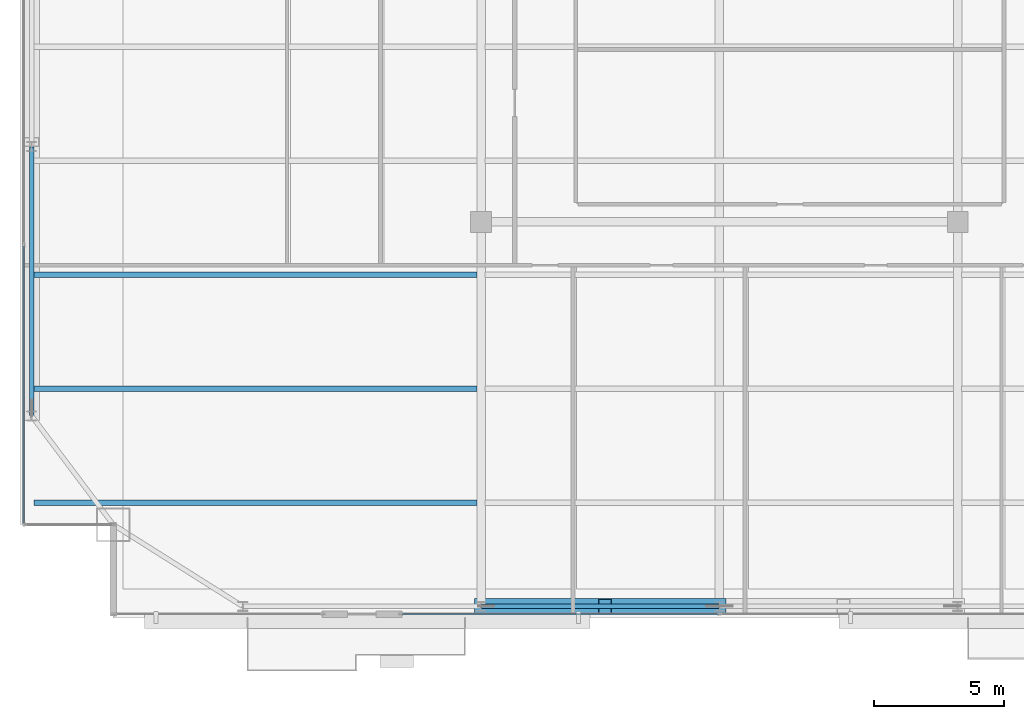
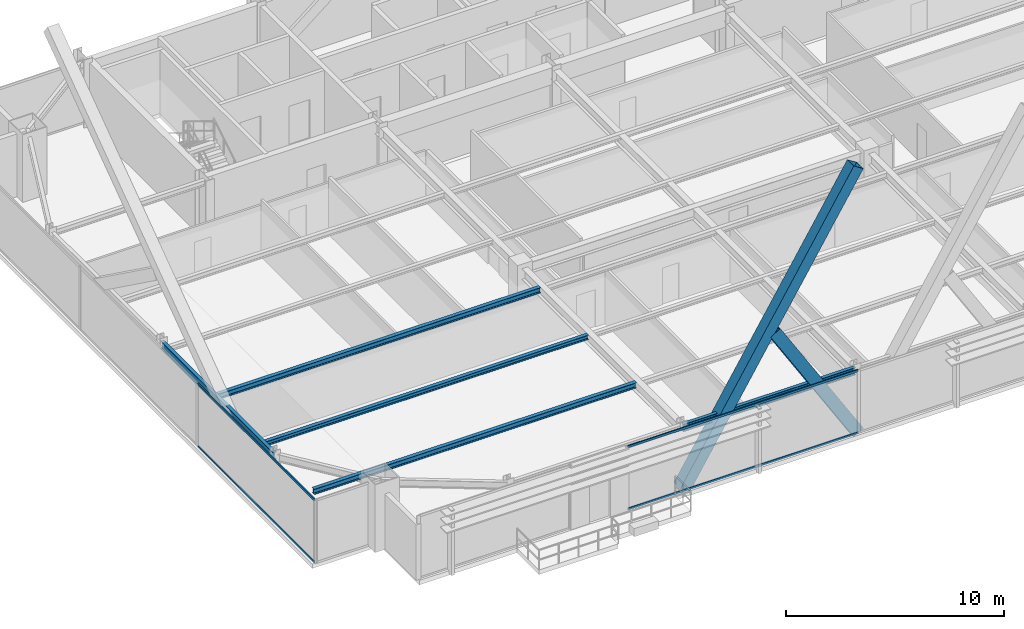
# One storey, part 7 of 34: 6 members, 5 beams, 2 elements without a shape of their own.
"""IFC4 building model written with IfcOpenShell, lengths in metres."""

import ifcopenshell
import ifcopenshell.guid

model = None  # the IFC model being written
_history = None  # IfcOwnerHistory: only IFC2X3 demands one
_inside = {}  # id of a spatial element -> (the spatial element, [elements in it])
_under = {}  # id of a project, library or spatial element -> (it, [spatial elements below it])
_declared = {}  # id of a project -> (the project, [libraries it declares])
_typed = {}  # id of a type object -> (the type object, [elements of that type])
_made_of = {}  # id of a material, layer set ... -> (it, [elements and type objects made of it])


def new_model(schema):
    """Start an empty IFC model of exactly this schema.

    Asked for "IFC4X3", IfcOpenShell would pick the latest addendum, in which some entities
    have other attributes; the version numbers below select the first issue.
    IFC2X3 requires an IfcOwnerHistory on every rooted entity: one is made here for all.
    """
    global model, _history
    if schema == "IFC4X3":
        model = ifcopenshell.file(schema_version=(4, 3, 0, 0))
    else:
        model = ifcopenshell.file(schema=schema)
    _inside.clear()
    _under.clear()
    _declared.clear()
    _typed.clear()
    _made_of.clear()
    _history = None
    if model.schema == "IFC2X3":
        org = make("IfcOrganization", Name="unknown")
        user = make(
            "IfcPersonAndOrganization",
            ThePerson=make("IfcPerson", FamilyName="unknown"),
            TheOrganization=org,
        )
        app = make(
            "IfcApplication",
            ApplicationDeveloper=org,
            Version="unknown",
            ApplicationFullName="unknown",
            ApplicationIdentifier="unknown",
        )
        _history = make(
            "IfcOwnerHistory",
            OwningUser=user,
            OwningApplication=app,
            ChangeAction="ADDED",
            CreationDate=0,
        )
    return model


def make(cls, **values):
    """One entity of the class cls with the attributes given. An attribute that is None is left unset."""
    return model.create_entity(
        cls, **{name: value for name, value in values.items() if value is not None}
    )


def rooted(cls, **values):
    """An entity with a GlobalId (a new one), such as an element, a storey or a relation."""
    return make(cls, GlobalId=ifcopenshell.guid.new(), OwnerHistory=_history, **values)


def si_unit(unit_type, name, prefix=None):
    """IfcSIUnit, for example si_unit("LENGTHUNIT", "METRE", prefix="MILLI")."""
    return make("IfcSIUnit", UnitType=unit_type, Prefix=prefix, Name=name)


def assignment(units):
    """IfcUnitAssignment: the units of a project."""
    return None if units is None else make("IfcUnitAssignment", Units=units)


def point(xyz):
    """IfcCartesianPoint."""
    return None if xyz is None else make("IfcCartesianPoint", Coordinates=xyz)


def direction(xyz):
    """IfcDirection."""
    return None if xyz is None else make("IfcDirection", DirectionRatios=xyz)


def frame(location, z_axis=None, x_axis=None):
    """IfcAxis2Placement3D, a coordinate frame: its origin and axes. An axis left out is left unset."""
    return make(
        "IfcAxis2Placement3D",
        Location=point(location),
        Axis=direction(z_axis),
        RefDirection=direction(x_axis),
    )


def frame_2d(location, x_axis=None):
    """IfcAxis2Placement2D, a coordinate frame in the plane: its origin and x axis."""
    return make(
        "IfcAxis2Placement2D", Location=point(location), RefDirection=direction(x_axis)
    )


def origin():
    """The frame at (0, 0, 0) with its axes left unset."""
    return frame((0.0, 0.0, 0.0))


def origin_2d():
    """The frame at (0, 0) in the plane with its x axis left unset."""
    return frame_2d((0.0, 0.0))


def place(relative_to, where):
    """IfcLocalPlacement: puts the frame where relative to a parent placement (None: the world)."""
    return make(
        "IfcLocalPlacement", PlacementRelTo=relative_to, RelativePlacement=where
    )


def context(
    kind, dimensions, precision=None, world=None, true_north=None, identifier=None
):
    """IfcGeometricRepresentationContext, for example the 3D "Model" context."""
    return make(
        "IfcGeometricRepresentationContext",
        ContextIdentifier=identifier,
        ContextType=kind,
        CoordinateSpaceDimension=dimensions,
        Precision=precision,
        WorldCoordinateSystem=world,
        TrueNorth=true_north,
    )


def subcontext(parent, identifier, kind, view, scale=None):
    """IfcGeometricRepresentationSubContext, for example "Body" below "Model"."""
    return make(
        "IfcGeometricRepresentationSubContext",
        ContextIdentifier=identifier,
        ContextType=kind,
        ParentContext=parent,
        TargetScale=scale,
        TargetView=view,
    )


def project(units=None, contexts=None):
    """IfcProject with its units and contexts."""
    return rooted(
        "IfcProject",
        Name="project",
        RepresentationContexts=contexts,
        UnitsInContext=assignment(units),
    )


def spatial(cls, under=None, at=None, **own):
    """A site, building, storey or space (cls), placed at a placement, below another one or the project."""
    s = rooted(cls, ObjectPlacement=at, **own)
    if under is not None:
        _under.setdefault(under.id(), (under, []))[1].append(s)
    return s


def profile(cls, at=None, kind="AREA", **sizes):
    """A parametric profile (cls). Its sizes go by their IFC names, for example OverallWidth=200.0."""
    return make(cls, ProfileType=kind, Position=at, **sizes)


def hollow_rectangle(**sizes):
    """IfcRectangleHollowProfileDef."""
    return profile("IfcRectangleHollowProfileDef", **sizes)


def i_section(**sizes):
    """IfcIShapeProfileDef."""
    return profile("IfcIShapeProfileDef", **sizes)


def extrude(swept, where, along, depth):
    """IfcExtrudedAreaSolid: the profile swept, set in the frame where, extruded along a direction by depth."""
    return make(
        "IfcExtrudedAreaSolid",
        SweptArea=swept,
        Position=where,
        ExtrudedDirection=direction(along),
        Depth=depth,
    )


def shape(context_of_items, identifier, shape_type, items):
    """IfcShapeRepresentation: the items that make up one representation, for example the "Body"."""
    return make(
        "IfcShapeRepresentation",
        ContextOfItems=context_of_items,
        RepresentationIdentifier=identifier,
        RepresentationType=shape_type,
        Items=items,
    )


def source(mapping_origin, context_of_items, identifier, shape_type, items):
    """IfcRepresentationMap: a shape defined once, which mapped items show again and again."""
    return make(
        "IfcRepresentationMap",
        MappingOrigin=mapping_origin,
        MappedRepresentation=shape(context_of_items, identifier, shape_type, items),
    )


def transform(
    local_origin,
    x_axis=None,
    y_axis=None,
    z_axis=None,
    scale=None,
    scale2=None,
    scale3=None,
    uniform=True,
):
    """IfcCartesianTransformationOperator3D, or its non-uniform kind. x_axis, y_axis, z_axis: its Axis1, 2, 3."""
    if uniform:
        return make(
            "IfcCartesianTransformationOperator3D",
            Axis1=direction(x_axis),
            Axis2=direction(y_axis),
            LocalOrigin=point(local_origin),
            Scale=scale,
            Axis3=direction(z_axis),
        )
    return make(
        "IfcCartesianTransformationOperator3DnonUniform",
        Axis1=direction(x_axis),
        Axis2=direction(y_axis),
        LocalOrigin=point(local_origin),
        Scale=scale,
        Axis3=direction(z_axis),
        Scale2=scale2,
        Scale3=scale3,
    )


def mapped(mapping_source, mapping_target):
    """IfcMappedItem: shows the shape of a source again, moved by a transform."""
    return make(
        "IfcMappedItem", MappingSource=mapping_source, MappingTarget=mapping_target
    )


def material(Name=None, Category=None):
    """IfcMaterial."""
    return make("IfcMaterial", Name=Name, Category=Category)


def layer(
    of_material, thickness, ventilated=None, Name=None, Category=None, Priority=None
):
    """IfcMaterialLayer: one layer of a wall or slab, of a material (None: an air gap)."""
    return make(
        "IfcMaterialLayer",
        Material=of_material,
        LayerThickness=thickness,
        IsVentilated=ventilated,
        Name=Name,
        Category=Category,
        Priority=Priority,
    )


def layer_set(layers, Name=None):
    """IfcMaterialLayerSet."""
    return make("IfcMaterialLayerSet", MaterialLayers=layers, LayerSetName=Name)


def material_profile(
    of_material, cross_section, Name=None, Category=None, Priority=None
):
    """IfcMaterialProfile: a cross section and its material."""
    return make(
        "IfcMaterialProfile",
        Name=Name,
        Material=of_material,
        Profile=cross_section,
        Priority=Priority,
        Category=Category,
    )


def profile_set(profiles, Name=None, composite=None):
    """IfcMaterialProfileSet."""
    return make(
        "IfcMaterialProfileSet",
        Name=Name,
        MaterialProfiles=profiles,
        CompositeProfile=composite,
    )


def made_of(thing, what):
    """Note that an element or type object is made of a material, layer set ...; save() writes the relation."""
    if what is not None:
        _made_of.setdefault(what.id(), (what, []))[1].append(thing)
    return thing


def type_object(cls, material=None, **own):
    """A type object (cls), such as IfcWallType, which elements share."""
    return made_of(rooted(cls, **own), material)


def type_shapes(of_type, sources):
    """Give a type object the sources (RepresentationMaps) that its elements show as mapped items."""
    of_type.RepresentationMaps = sources


def element(
    cls,
    number,
    at=None,
    inside=None,
    cuts=None,
    type_object=None,
    material=None,
    context=None,
    identifier="Body",
    shape_type=None,
    held_by="IfcProductDefinitionShape",
    body=None,
    shapes=None,
    **own,
):
    """One element of the class cls, such as IfcWall. Its Tag is "e" and its number.

    at: its placement. inside: the storey or other place that contains it. cuts: it is an
    opening in that element (IfcRelVoidsElement). A single representation is given by context,
    identifier, shape_type and body (its items); several are given by shapes. held_by: the class
    of the entity that holds the representations. save() writes the other relations.
    """
    e = rooted(cls, Tag="e%d" % number, ObjectPlacement=at, **own)
    if body is not None:
        shapes = [shape(context, identifier, shape_type, body)]
    if shapes is not None:
        e.Representation = make(held_by, Representations=shapes)
    if inside is not None:
        _inside.setdefault(inside.id(), (inside, []))[1].append(e)
    if cuts is not None:
        rooted(
            "IfcRelVoidsElement", RelatingBuildingElement=cuts, RelatedOpeningElement=e
        )
    if type_object is not None:
        _typed.setdefault(type_object.id(), (type_object, []))[1].append(e)
    return made_of(e, material)


def aggregate(whole, parts):
    """IfcRelAggregates: a whole, such as a stair, and the parts it consists of."""
    return rooted("IfcRelAggregates", RelatingObject=whole, RelatedObjects=parts)


def save(model, path):
    """Write the relations noted so far, then the file.

    IfcRelAggregates (storeys below a building ...), IfcRelContainedInSpatialStructure (elements
    in a storey), IfcRelDefinesByType, IfcRelAssociatesMaterial and IfcRelDeclares: one each for
    every whole, place, type object, material and project.
    """
    for whole, parts in _under.values():
        aggregate(whole, parts)
    for where, things in _inside.values():
        rooted(
            "IfcRelContainedInSpatialStructure",
            RelatedElements=things,
            RelatingStructure=where,
        )
    for kind, things in _typed.values():
        rooted("IfcRelDefinesByType", RelatedObjects=things, RelatingType=kind)
    for what, things in _made_of.values():
        rooted("IfcRelAssociatesMaterial", RelatedObjects=things, RelatingMaterial=what)
    for by, libraries in _declared.values():
        rooted("IfcRelDeclares", RelatingContext=by, RelatedDefinitions=libraries)
    model.write(path)


model = new_model("IFC4")

# Units and contexts
model_context = context("Model", 3, precision=1e-05, world=origin(), true_north=direction((0.0, 1.0)))
body_context = subcontext(model_context, "Body", "Model", "MODEL_VIEW")
ifc_project = project(units=[si_unit("LENGTHUNIT", "METRE"), si_unit("AREAUNIT", "SQUARE_METRE"), si_unit("VOLUMEUNIT", "CUBIC_METRE"), si_unit("PLANEANGLEUNIT", "RADIAN"), si_unit("MASSUNIT", "GRAM", prefix="KILO")], contexts=[model_context])

# Site, building, storey
site_placement = place(None, origin())
site = spatial("IfcSite", under=ifc_project, at=site_placement, CompositionType="ELEMENT")
building_placement = place(site_placement, origin())
building = spatial("IfcBuilding", under=site, at=building_placement, Name="Varnel Quay Broadcast Tower", CompositionType="ELEMENT")
storey_placement = place(building_placement, frame((0.0, 0.0, 176.199951171875)))
storey = spatial("IfcBuildingStorey", under=building, at=storey_placement, Name="L43", CompositionType="ELEMENT", Elevation=176.199951171875)

# Beams
ifc_material_1 = material(Name="Structural Steel CSA G40.21 350W", Category="steel")
ifc_material_profile_1 = material_profile(ifc_material_1, i_section(OverallWidth=0.180908203125, OverallDepth=0.4169921875, WebThickness=0.010986328125, FlangeThickness=0.018310546875, FilletRadius=0.011962890625, at=origin_2d()), Name="W410X85")
ifc_profile_set_1 = profile_set([ifc_material_profile_1], Name="Structural Steel CSA G40.21 350W")
beam_type_1 = type_object("IfcBeamType", Name="Beam_W410X85", PredefinedType="SPANDREL", material=ifc_profile_set_1)
shared_shape_1 = source(origin(), body_context, "Body", "SweptSolid", [
    extrude(i_section(OverallWidth=0.180908203125, OverallDepth=0.4169921875, WebThickness=0.010986328125, FlangeThickness=0.018310546875, FilletRadius=0.011962890625, at=origin_2d()), origin(), (0.0, 0.0, 1.0), 9.159912109375),
])
beam_1_placement = place(storey_placement, frame((24.820068359375, 7.64990234375, 3.341552734375), z_axis=(1.0, 0.0, 0.0), x_axis=(0.0, 1.0, 0.0)))
element("IfcBeam", 1, at=beam_1_placement, inside=storey, type_object=beam_type_1, Name="L43 South Spandrel TC-S2-TC-S3", PredefinedType="SPANDREL", context=body_context, shape_type="MappedRepresentation", body=[
    mapped(shared_shape_1, transform((0.0, 0.0, 0.0), x_axis=(1.0, 0.0, 0.0), y_axis=(0.0, 1.0, 0.0), z_axis=(0.0, 0.0, 1.0), scale=1.0)),
])
shared_shape_2 = source(origin(), body_context, "Body", "SweptSolid", [
    extrude(i_section(OverallWidth=0.180908203125, OverallDepth=0.4169921875, WebThickness=0.010986328125, FlangeThickness=0.018310546875, FilletRadius=0.011962890625, at=origin_2d()), origin(), (0.0, 0.0, 1.0), 10.35986328125),
])
type_shapes(beam_type_1, [shared_shape_1, shared_shape_2])
beam_2_placement = place(storey_placement, frame((7.449951171875, 15.02001953125, 3.341552734375), z_axis=(0.0, 1.0, 0.0), x_axis=(-1.0, 0.0, 0.0)))
element("IfcBeam", 2, at=beam_2_placement, inside=storey, type_object=beam_type_1, Name="L43 West Spandrel TC-W1-TC-W2", PredefinedType="SPANDREL", context=body_context, shape_type="MappedRepresentation", body=[
    mapped(shared_shape_2, transform((0.0, 0.0, 0.0), x_axis=(1.0, 0.0, 0.0), y_axis=(0.0, 1.0, 0.0), z_axis=(0.0, 0.0, 1.0), scale=1.0)),
])
ifc_material_profile_2 = material_profile(ifc_material_1, i_section(OverallWidth=0.202880859375, OverallDepth=0.302978515625, WebThickness=0.007568359375, FlangeThickness=0.01318359375, FilletRadius=0.011962890625, at=origin_2d()), Name="W310X60")
ifc_profile_set_2 = profile_set([ifc_material_profile_2], Name="Structural Steel CSA G40.21 350W")
beam_type_2 = type_object("IfcBeamType", Name="Beam_W310X60", PredefinedType="JOIST", material=ifc_profile_set_2)
shared_shape_3 = source(origin(), body_context, "Body", "SweptSolid", [
    extrude(i_section(OverallWidth=0.202880859375, OverallDepth=0.302978515625, WebThickness=0.007568359375, FlangeThickness=0.01318359375, FilletRadius=0.011962890625, at=origin_2d()), origin(), (0.0, 0.0, 1.0), 17.107177734375),
])
type_shapes(beam_type_2, [shared_shape_3])
for number, where, z_axis, x_axis, name in (
    (3, (7.535400390625, 11.64990234375, 3.3984375), (1.0, 0.0, 0.0), (0.0, 1.0, 0.0), "L43 West Floor Joist 1"),
    (4, (7.535400390625, 20.449951171875, 3.3984375), (1.0, 0.0, 0.0), (0.0, 1.0, 0.0), "L43 West Floor Joist 3"),
):
    element("IfcBeam", number, at=place(storey_placement, frame(where, z_axis=z_axis, x_axis=x_axis)), inside=storey, type_object=beam_type_2, Name=name, PredefinedType="JOIST", context=body_context, shape_type="MappedRepresentation", body=[
        mapped(shared_shape_3, transform((0.0, 0.0, 0.0), x_axis=(1.0, 0.0, 0.0), y_axis=(0.0, 1.0, 0.0), z_axis=(0.0, 0.0, 1.0), scale=1.0)),
    ])
ifc_material_profile_3 = material_profile(ifc_material_1, i_section(OverallWidth=0.201904296875, OverallDepth=0.2470703125, WebThickness=0.00732421875, FlangeThickness=0.010986328125, FilletRadius=0.010986328125, at=origin_2d()), Name="W250X49")
ifc_profile_set_3 = profile_set([ifc_material_profile_3], Name="Structural Steel CSA G40.21 350W")
beam_type_3 = type_object("IfcBeamType", Name="Beam_W250X49", PredefinedType="JOIST", material=ifc_profile_set_3)
shared_shape_4 = source(origin(), body_context, "Body", "SweptSolid", [
    extrude(i_section(OverallWidth=0.201904296875, OverallDepth=0.2470703125, WebThickness=0.00732421875, FlangeThickness=0.010986328125, FilletRadius=0.010986328125, at=origin_2d()), origin(), (0.0, 0.0, 1.0), 17.107177734375),
])
type_shapes(beam_type_3, [shared_shape_4])
beam_3_placement = place(storey_placement, frame((7.535400390625, 16.050048828125, 3.426513671875), z_axis=(1.0, 0.0, 0.0), x_axis=(0.0, 1.0, 0.0)))
element("IfcBeam", 5, at=beam_3_placement, inside=storey, type_object=beam_type_3, Name="L43 West Floor Joist 2", PredefinedType="JOIST", context=body_context, shape_type="MappedRepresentation", body=[
    mapped(shared_shape_4, transform((0.0, 0.0, 0.0), x_axis=(1.0, 0.0, 0.0), y_axis=(0.0, 1.0, 0.0), z_axis=(0.0, 0.0, 1.0), scale=1.0)),
])

# Members
ifc_material_2 = material(Name="Structural Steel CSA G40.21 350WT", Category="steel")
ifc_material_profile_4 = material_profile(ifc_material_2, hollow_rectangle(XDim=0.60009765625, YDim=0.60009765625, WallThickness=0.028076171875, at=origin_2d()), Name="BOX600X600X28")
ifc_profile_set_4 = profile_set([ifc_material_profile_4], Name="Structural Steel CSA G40.21 350WT")
member_type_1 = type_object("IfcMemberType", Name="Brace_BOX600X600X28", PredefinedType="BRACE", material=ifc_profile_set_4)
shared_shape_5 = source(origin(), body_context, "Body", "SweptSolid", [
    extrude(hollow_rectangle(XDim=0.60009765625, YDim=0.60009765625, WallThickness=0.028076171875, at=origin_2d()), origin(), (0.0, 0.0, 1.0), 17.494384765625),
])
member_1_placement = place(storey_placement, frame((24.800048828125, 7.64990234375, 0.02001953125), z_axis=(0.525876986338, 0.0, 0.850560635839), x_axis=(0.0, 1.0, 0.0)))
element("IfcMember", 6, at=member_1_placement, inside=storey, type_object=member_type_1, Name="Zone 3 Mega-Brace S-C1T3 Continuous Diag A", PredefinedType="BRACE", context=body_context, shape_type="MappedRepresentation", body=[
    mapped(shared_shape_5, transform((0.0, 0.0, 0.0), x_axis=(1.0, 0.0, 0.0), y_axis=(0.0, 1.0, 0.0), z_axis=(0.0, 0.0, 1.0), scale=1.0)),
])
shared_shape_6 = source(origin(), body_context, "Body", "SweptSolid", [
    extrude(hollow_rectangle(XDim=0.60009765625, YDim=0.60009765625, WallThickness=0.028076171875, at=origin_2d()), origin(), (0.0, 0.0, 1.0), 8.38671875),
])
type_shapes(member_type_1, [shared_shape_5, shared_shape_6])
member_2_placement = place(storey_placement, frame((34.0, 7.64990234375, 0.02001953125), z_axis=(-0.525871495166, 0.0, 0.850564030848), x_axis=(0.0, -1.0, 0.0)))
element("IfcMember", 7, at=member_2_placement, inside=storey, type_object=member_type_1, Name="Zone 3 Mega-Brace S-C1T3 Split Diag B1", PredefinedType="BRACE", context=body_context, shape_type="MappedRepresentation", body=[
    mapped(shared_shape_6, transform((0.0, 0.0, 0.0), x_axis=(1.0, 0.0, 0.0), y_axis=(0.0, 1.0, 0.0), z_axis=(0.0, 0.0, 1.0), scale=1.0)),
])

# Curtain wall, members
ifc_material_3 = material(Name="Anodised Bronze Aluminium 6063-T6", Category="aluminium")
ifc_layer = layer(ifc_material_3, 0.18994140625, Name="Anodised Bronze Aluminium 6063-T6")
ifc_layer_set = layer_set([ifc_layer], Name="Anodised Bronze Aluminium 6063-T6")
curtain_wall_type = type_object("IfcCurtainWallType", Name="CW_UpperTower", PredefinedType="NOTDEFINED", material=ifc_layer_set)
curtain_wall_1_placement = place(storey_placement, origin())
curtain_wall_1 = element("IfcCurtainWall", 8, at=curtain_wall_1_placement, inside=storey, type_object=curtain_wall_type, Name="L43 West Unitised Curtain Wall", PredefinedType="NOTDEFINED")
ifc_material_profile_5 = material_profile(ifc_material_3, hollow_rectangle(XDim=0.06005859375, YDim=0.125, WallThickness=0.0029296875, at=origin_2d()), Name="ALU60X125X3")
ifc_profile_set_5 = profile_set([ifc_material_profile_5], Name="Anodised Bronze Aluminium 6063-T6")
member_type_2 = type_object("IfcMemberType", Name="Tran_CWS-03", PredefinedType="USERDEFINED", material=ifc_profile_set_5)
shared_shape_7 = source(origin(), body_context, "Body", "SweptSolid", [
    extrude(hollow_rectangle(XDim=0.06005859375, YDim=0.125, WallThickness=0.0029296875, at=origin_2d()), origin(), (0.0, 0.0, 1.0), 10.702392578125),
])
member_3_placement = place(storey_placement, frame((7.14990234375, 10.864990234375, 0.030029296875), z_axis=(0.0, 1.0, 0.0), x_axis=(-1.0, 0.0, 0.0)))
member_3 = element("IfcMember", 9, at=member_3_placement, type_object=member_type_2, Name="CWS-03 transom 1.1", ObjectType="TRANSOM", PredefinedType="USERDEFINED", context=body_context, shape_type="MappedRepresentation", body=[
    mapped(shared_shape_7, transform((0.0, 0.0, 0.0), x_axis=(1.0, 0.0, 0.0), y_axis=(0.0, 1.0, 0.0), z_axis=(0.0, 0.0, 1.0), scale=1.0)),
])
member_4_placement = place(storey_placement, frame((7.14990234375, 10.864990234375, 3.52001953125), z_axis=(0.0, 1.0, 0.0), x_axis=(-1.0, 0.0, 0.0)))
member_4 = element("IfcMember", 10, at=member_4_placement, type_object=member_type_2, Name="CWS-03 transom 1.2", ObjectType="TRANSOM", PredefinedType="USERDEFINED", context=body_context, shape_type="MappedRepresentation", body=[
    mapped(shared_shape_7, transform((0.0, 0.0, 0.0), x_axis=(1.0, 0.0, 0.0), y_axis=(0.0, 1.0, 0.0), z_axis=(0.0, 0.0, 1.0), scale=1.0)),
])
aggregate(curtain_wall_1, [member_3, member_4])

curtain_wall_2_placement = place(storey_placement, origin())
curtain_wall_2 = element("IfcCurtainWall", 11, at=curtain_wall_2_placement, inside=storey, type_object=curtain_wall_type, Name="L43 South Unitised Curtain Wall 2", PredefinedType="NOTDEFINED")
shared_shape_8 = source(origin(), body_context, "Body", "SweptSolid", [
    extrude(hollow_rectangle(XDim=0.06005859375, YDim=0.125, WallThickness=0.0029296875, at=origin_2d()), origin(), (0.0, 0.0, 1.0), 12.222412109375),
])
type_shapes(member_type_2, [shared_shape_7, shared_shape_8])
member_5_placement = place(storey_placement, frame((21.7451171875, 7.35009765625, 0.030029296875), z_axis=(1.0, 0.0, 0.0), x_axis=(0.0, 1.0, 0.0)))
member_5 = element("IfcMember", 12, at=member_5_placement, type_object=member_type_2, Name="CWS-03 transom 1.1", ObjectType="TRANSOM", PredefinedType="USERDEFINED", context=body_context, shape_type="MappedRepresentation", body=[
    mapped(shared_shape_8, transform((0.0, 0.0, 0.0), x_axis=(1.0, 0.0, 0.0), y_axis=(0.0, 1.0, 0.0), z_axis=(0.0, 0.0, 1.0), scale=1.0)),
])
member_6_placement = place(storey_placement, frame((21.7451171875, 7.35009765625, 3.52001953125), z_axis=(1.0, 0.0, 0.0), x_axis=(0.0, 1.0, 0.0)))
member_6 = element("IfcMember", 13, at=member_6_placement, type_object=member_type_2, Name="CWS-03 transom 1.2", ObjectType="TRANSOM", PredefinedType="USERDEFINED", context=body_context, shape_type="MappedRepresentation", body=[
    mapped(shared_shape_8, transform((0.0, 0.0, 0.0), x_axis=(1.0, 0.0, 0.0), y_axis=(0.0, 1.0, 0.0), z_axis=(0.0, 0.0, 1.0), scale=1.0)),
])
aggregate(curtain_wall_2, [member_5, member_6])

save(model, "model.ifc")
